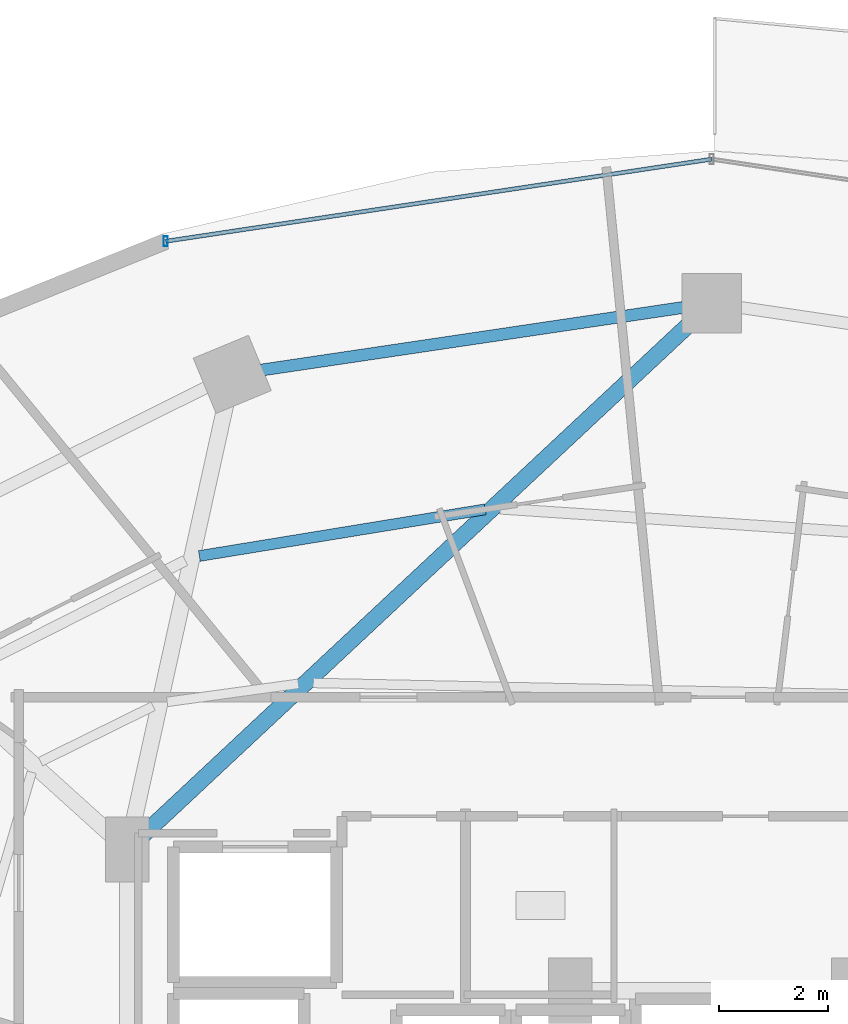
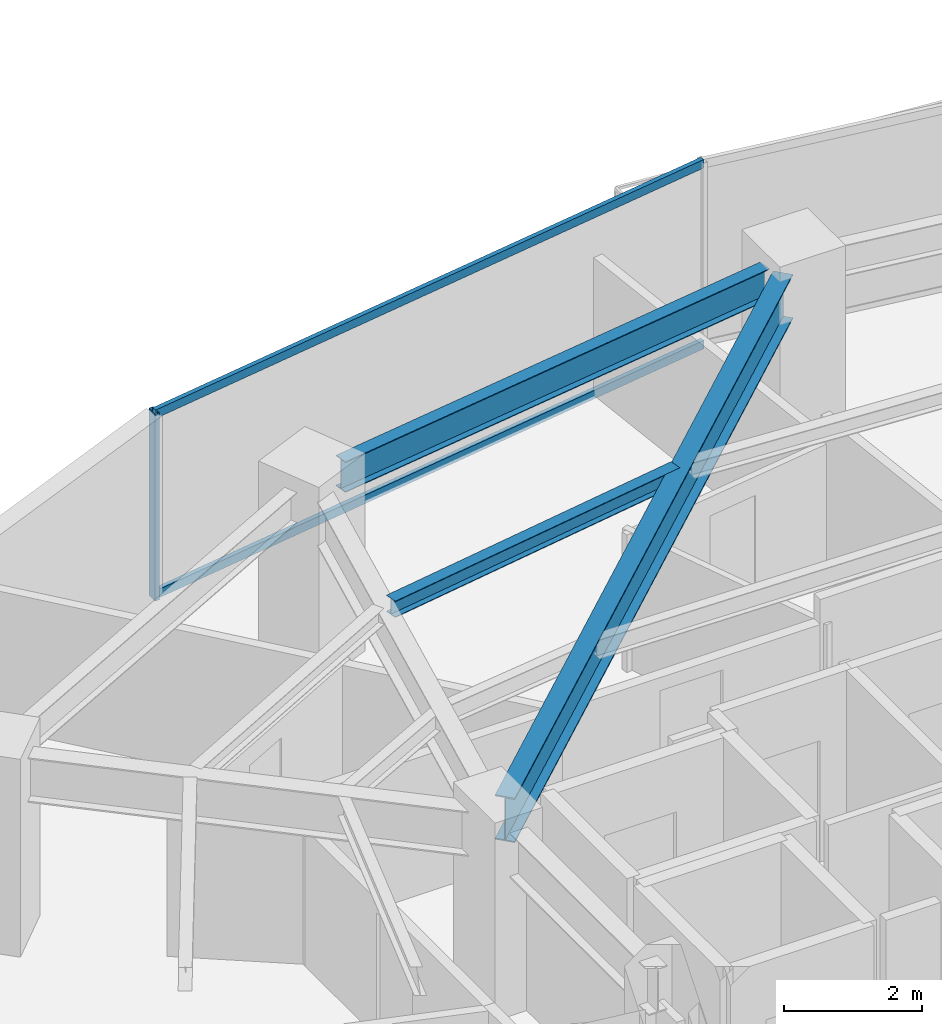
# One storey, part 17 of 29: 3 beams, 3 members, 1 element without a shape of its own.
"""IFC4 building model written with IfcOpenShell, lengths in metres."""

from ifc_helpers import new_model, si_unit, direction, frame, origin, origin_2d, place, context, subcontext, project, spatial, hollow_rectangle, i_section, extrude, material, material_profile, profile_set, type_object, element, aggregate, save


model = new_model("IFC4")

# Units and contexts
model_context = context("Model", 3, precision=1e-05, world=origin(), true_north=direction((0.0, 1.0)))
body_context = subcontext(model_context, "Body", "Model", "MODEL_VIEW")
ifc_project = project(units=[si_unit("LENGTHUNIT", "METRE"), si_unit("AREAUNIT", "SQUARE_METRE"), si_unit("VOLUMEUNIT", "CUBIC_METRE"), si_unit("PLANEANGLEUNIT", "RADIAN"), si_unit("MASSUNIT", "GRAM", prefix="KILO")], contexts=[model_context])

# Site, building, storey
site_placement = place(None, origin())
site = spatial("IfcSite", under=ifc_project, at=site_placement, CompositionType="ELEMENT")
building_placement = place(site_placement, origin())
building = spatial("IfcBuilding", under=site, at=building_placement, Name="Vorneva Point Tower", CompositionType="ELEMENT")
storey_placement = place(building_placement, frame((0.0, 0.0, 117.300048828125)))
storey = spatial("IfcBuildingStorey", under=building, at=storey_placement, Name="L31", CompositionType="ELEMENT", Elevation=117.300048828125)

# Beams
ifc_material_1 = material(Name="Steel S355", Category="steel")
ifc_material_profile_1 = material_profile(ifc_material_1, i_section(OverallWidth=0.300048828125, OverallDepth=0.7880859375, WebThickness=0.014404296875, FlangeThickness=0.02197265625, at=origin_2d()), Name="80Sh1")
ifc_profile_set_1 = profile_set([ifc_material_profile_1], Name="Steel S355")
beam_type_1 = type_object("IfcBeamType", Name="BM-GRD-80Sh1", PredefinedType="USERDEFINED", material=ifc_profile_set_1)
beam_1_placement = place(storey_placement, frame((37.60693359375, 42.83251953125, 2.845947265625), z_axis=(-0.730488863256, -0.682924608327, 0.0), x_axis=(0.682924608327, -0.730488863256, 0.0)))
element("IfcBeam", 1, at=beam_1_placement, inside=storey, type_object=beam_type_1, Name="L31 Radial Primary Girder 05", ObjectType="GIRDER", PredefinedType="USERDEFINED", context=body_context, shape_type="SweptSolid", body=[
    extrude(i_section(OverallWidth=0.300048828125, OverallDepth=0.7880859375, WebThickness=0.014404296875, FlangeThickness=0.02197265625, at=origin_2d()), origin(), (0.0, 0.0, 1.0), 13.838134765625),
])
ifc_material_profile_2 = material_profile(ifc_material_1, i_section(OverallWidth=0.199951171875, OverallDepth=0.291015625, WebThickness=0.008056640625, FlangeThickness=0.010986328125, at=origin_2d()), Name="30Sh1")
ifc_profile_set_2 = profile_set([ifc_material_profile_2], Name="Steel S355")
beam_type_2 = type_object("IfcBeamType", Name="BM-SEC-30Sh1", PredefinedType="BEAM", material=ifc_profile_set_2)
beam_2_placement = place(storey_placement, frame((33.831787109375, 39.408203125, 3.094482421875), z_axis=(-0.986930947591, -0.161143739214, 0.0), x_axis=(0.161143739214, -0.986930947591, 0.0)))
element("IfcBeam", 2, at=beam_2_placement, inside=storey, type_object=beam_type_2, Name="L31 Secondary Floor Beam 1.05", PredefinedType="BEAM", context=body_context, shape_type="SweptSolid", body=[
    extrude(i_section(OverallWidth=0.199951171875, OverallDepth=0.291015625, WebThickness=0.008056640625, FlangeThickness=0.010986328125, at=origin_2d()), origin(), (0.0, 0.0, 1.0), 5.328369140625),
])
ifc_material_profile_3 = material_profile(ifc_material_1, i_section(OverallWidth=0.219970703125, OverallDepth=0.54296875, WebThickness=0.009521484375, FlangeThickness=0.013427734375, at=origin_2d()), Name="55B1")
ifc_profile_set_3 = profile_set([ifc_material_profile_3], Name="Steel S355")
beam_type_3 = type_object("IfcBeamType", Name="BM-SPN-55B1", PredefinedType="SPANDREL", material=ifc_profile_set_3)
beam_3_placement = place(storey_placement, frame((37.470703125, 43.121337890625, 2.968505859375), z_axis=(-0.989164507783, -0.146811363806, 0.0), x_axis=(0.146811363806, -0.989164507783, 0.0)))
element("IfcBeam", 3, at=beam_3_placement, inside=storey, type_object=beam_type_3, Name="L31 Perimeter Spandrel Ring Beam 05", PredefinedType="SPANDREL", context=body_context, shape_type="SweptSolid", body=[
    extrude(i_section(OverallWidth=0.219970703125, OverallDepth=0.54296875, WebThickness=0.009521484375, FlangeThickness=0.013427734375, at=origin_2d()), origin(), (0.0, 0.0, 1.0), 7.847412109375),
])

# Curtain wall, members
ifc_material_2 = material(Name="Pale anodised aluminium", Category="aluminium")
curtain_wall_type = type_object("IfcCurtainWallType", Name="CW-HTL-SYS", PredefinedType="NOTDEFINED", material=ifc_material_2)
curtain_wall_placement = place(storey_placement, origin())
curtain_wall = element("IfcCurtainWall", 4, at=curtain_wall_placement, inside=storey, type_object=curtain_wall_type, Name="L31 Unitised Curtain Wall CW-L31-R01", PredefinedType="NOTDEFINED")
ifc_material_profile_4 = material_profile(ifc_material_2, hollow_rectangle(XDim=0.074951171875, YDim=0.179931640625, WallThickness=0.00390625, at=origin_2d()), Name="AL-MUL 180x75x4")
ifc_profile_set_4 = profile_set([ifc_material_profile_4], Name="Pale anodised aluminium")
member_type_1 = type_object("IfcMemberType", Name="CW-MUL-180", PredefinedType="MULLION", material=ifc_profile_set_4)
member_1_placement = place(storey_placement, frame((27.95458984375, 44.339111328125, -0.0400390625), z_axis=(0.0, 0.0, 1.0), x_axis=(1.0, 0.0, 0.0)))
member_1 = element("IfcMember", 5, at=member_1_placement, type_object=member_type_1, Name="CW-L31-R01 Mullion 05", PredefinedType="MULLION", context=body_context, shape_type="SweptSolid", body=[
    extrude(hollow_rectangle(XDim=0.074951171875, YDim=0.179931640625, WallThickness=0.00390625, at=origin_2d()), origin(), (0.0, 0.0, 1.0), 3.31005859375),
])
ifc_material_profile_5 = material_profile(ifc_material_2, hollow_rectangle(XDim=0.074951171875, YDim=0.14990234375, WallThickness=0.00390625, at=origin_2d()), Name="AL-TRN 150x75x4")
ifc_profile_set_5 = profile_set([ifc_material_profile_5], Name="Pale anodised aluminium")
member_type_2 = type_object("IfcMemberType", Name="CW-TRN-150", PredefinedType="USERDEFINED", material=ifc_profile_set_5)
member_2_placement = place(storey_placement, frame((38.0, 45.85009765625, 0.02001953125), z_axis=(-0.988875982167, -0.148742367512, 0.0), x_axis=(0.148742367512, -0.988875982167, 0.0)))
member_2 = element("IfcMember", 6, at=member_2_placement, type_object=member_type_2, Name="CW-L31-R01 Transom 04.1", ObjectType="TRANSOM", PredefinedType="USERDEFINED", context=body_context, shape_type="SweptSolid", body=[
    extrude(hollow_rectangle(XDim=0.074951171875, YDim=0.14990234375, WallThickness=0.00390625, at=origin_2d()), origin(), (0.0, 0.0, 1.0), 10.158447265625),
])
member_3_placement = place(storey_placement, frame((38.0, 45.85009765625, 3.219970703125), z_axis=(-0.988875982167, -0.148742367512, 0.0), x_axis=(0.148742367512, -0.988875982167, 0.0)))
member_3 = element("IfcMember", 7, at=member_3_placement, type_object=member_type_2, Name="CW-L31-R01 Transom 04.2", ObjectType="TRANSOM", PredefinedType="USERDEFINED", context=body_context, shape_type="SweptSolid", body=[
    extrude(hollow_rectangle(XDim=0.074951171875, YDim=0.14990234375, WallThickness=0.00390625, at=origin_2d()), origin(), (0.0, 0.0, 1.0), 10.158447265625),
])
aggregate(curtain_wall, [member_1, member_2, member_3])

save(model, "model.ifc")
